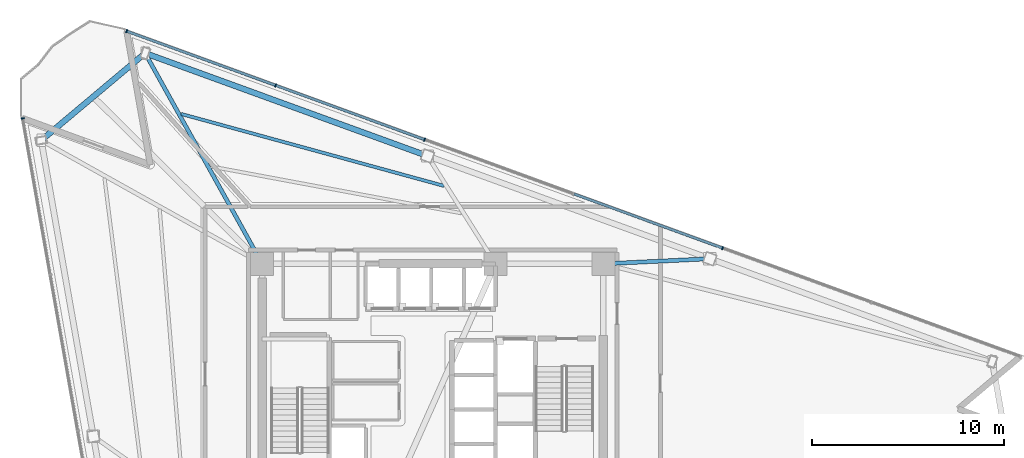
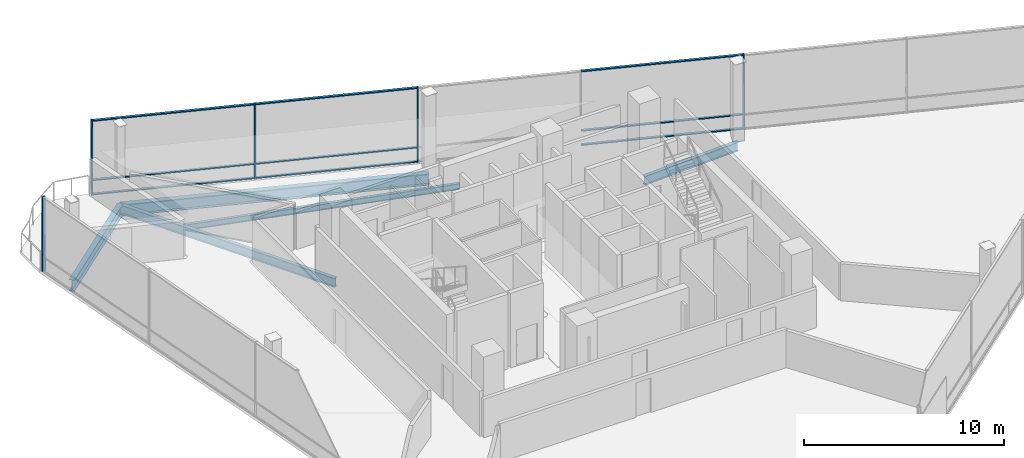
# One storey, part 7 of 15: 14 members, 5 beams, 2 elements without a shape of their own.
"""IFC4 building model written with IfcOpenShell, lengths in metres."""

from ifc_helpers import new_model, si_unit, direction, frame, origin, origin_2d, place, context, subcontext, project, spatial, rectangle, i_section, extrude, material, layer, layer_set, material_profile, profile_set, type_object, element, aggregate, save


model = new_model("IFC4")

# Units and contexts
model_context = context("Model", 3, precision=1e-05, world=origin(), true_north=direction((0.0, 1.0)))
body_context = subcontext(model_context, "Body", "Model", "MODEL_VIEW")
ifc_project = project(units=[si_unit("LENGTHUNIT", "METRE"), si_unit("AREAUNIT", "SQUARE_METRE"), si_unit("VOLUMEUNIT", "CUBIC_METRE"), si_unit("PLANEANGLEUNIT", "RADIAN"), si_unit("MASSUNIT", "GRAM", prefix="KILO")], contexts=[model_context])

# Site, building, storey
site_placement = place(None, origin())
site = spatial("IfcSite", under=ifc_project, at=site_placement, CompositionType="ELEMENT")
building_placement = place(site_placement, origin())
building = spatial("IfcBuilding", under=site, at=building_placement, Name="Tharavind Bronze Gate", CompositionType="ELEMENT")
storey_placement = place(building_placement, frame((0.0, 0.0, 192.10009765625)))
storey = spatial("IfcBuildingStorey", under=building, at=storey_placement, Name="L49", CompositionType="ELEMENT", Elevation=192.10009765625)

# Curtain wall, member
ifc_material_1 = material(Name="Anodised Bronze Aluminium", Category="aluminium")
ifc_layer = layer(ifc_material_1, 0.219970703125)
ifc_layer_set = layer_set([ifc_layer], Name="Anodised Bronze Aluminium")
curtain_wall_type = type_object("IfcCurtainWallType", Name="UNITISED CURTAIN WALL MID OFFICE", PredefinedType="USERDEFINED", material=ifc_layer_set)
curtain_wall_1_placement = place(storey_placement, origin())
curtain_wall_1 = element("IfcCurtainWall", 1, at=curtain_wall_1_placement, inside=storey, type_object=curtain_wall_type, Name="L49 unitised curtain wall mid office CW-L49-S1", ObjectType="UNITISED CURTAIN WALL", PredefinedType="USERDEFINED")
member_type_1 = type_object("IfcMemberType", Name="CURTAIN WALL BRONZE MULLION 65X180", PredefinedType="MULLION", material=ifc_material_1)
member_1_placement = place(storey_placement, frame((-21.396728515625, 15.1923828125, -0.000244140625), z_axis=(0.0, 0.0, 1.0), x_axis=(0.173648177667, -0.984807753012, 0.0)))
member_1 = element("IfcMember", 2, at=member_1_placement, type_object=member_type_1, Name="CW-L49-S1 mullion 1", PredefinedType="MULLION", context=body_context, shape_type="SweptSolid", body=[
    extrude(rectangle(XDim=0.06494140625, YDim=0.179931640625, at=origin_2d()), origin(), (0.0, 0.0, 1.0), 4.56005859375),
])
aggregate(curtain_wall_1, [member_1])

# Curtain wall, members
curtain_wall_2_placement = place(storey_placement, origin())
curtain_wall_2 = element("IfcCurtainWall", 3, at=curtain_wall_2_placement, inside=storey, type_object=curtain_wall_type, Name="L49 unitised curtain wall mid office CW-L49-S3", ObjectType="UNITISED CURTAIN WALL", PredefinedType="USERDEFINED")
member_2_placement = place(storey_placement, frame((15.12451171875, 8.424560546875, -0.000244140625), z_axis=(0.0, 0.0, 1.0), x_axis=(-0.939692023847, 0.342021783398, 0.0)))
member_2 = element("IfcMember", 4, at=member_2_placement, type_object=member_type_1, Name="CW-L49-S3 mullion 3", PredefinedType="MULLION", context=body_context, shape_type="SweptSolid", body=[
    extrude(rectangle(XDim=0.06494140625, YDim=0.179931640625, at=origin_2d()), origin(), (0.0, 0.0, 1.0), 4.56005859375),
])
member_3_placement = place(storey_placement, frame((-0.42431640625, 14.083984375, -0.000244140625), z_axis=(0.0, 0.0, 1.0), x_axis=(-0.939692023847, 0.342021783398, 0.0)))
member_3 = element("IfcMember", 5, at=member_3_placement, type_object=member_type_1, Name="CW-L49-S3 mullion 5", PredefinedType="MULLION", context=body_context, shape_type="SweptSolid", body=[
    extrude(rectangle(XDim=0.06494140625, YDim=0.179931640625, at=origin_2d()), origin(), (0.0, 0.0, 1.0), 4.56005859375),
])
member_4_placement = place(storey_placement, frame((-8.19873046875, 16.91357421875, -0.000244140625), z_axis=(0.0, 0.0, 1.0), x_axis=(-0.939692023847, 0.342021783398, 0.0)))
member_4 = element("IfcMember", 6, at=member_4_placement, type_object=member_type_1, Name="CW-L49-S3 mullion 6", PredefinedType="MULLION", context=body_context, shape_type="SweptSolid", body=[
    extrude(rectangle(XDim=0.06494140625, YDim=0.179931640625, at=origin_2d()), origin(), (0.0, 0.0, 1.0), 4.56005859375),
])
member_5_placement = place(storey_placement, frame((-15.97314453125, 19.743408203125, -0.000244140625), z_axis=(0.0, 0.0, 1.0), x_axis=(-0.939692023847, 0.342021783398, 0.0)))
member_5 = element("IfcMember", 7, at=member_5_placement, type_object=member_type_1, Name="CW-L49-S3 mullion 7", PredefinedType="MULLION", context=body_context, shape_type="SweptSolid", body=[
    extrude(rectangle(XDim=0.06494140625, YDim=0.179931640625, at=origin_2d()), origin(), (0.0, 0.0, 1.0), 4.56005859375),
])
member_type_2 = type_object("IfcMemberType", Name="CURTAIN WALL BRONZE TRANSOM 65X140", PredefinedType="USERDEFINED", material=ifc_material_1)
member_6_placement = place(storey_placement, frame((11.2373046875, 9.839599609375, 0.0), z_axis=(0.0, 0.0, 1.0), x_axis=(-0.939692023847, 0.342021783398, 0.0)))
member_6 = element("IfcMember", 8, at=member_6_placement, type_object=member_type_2, Name="CW-L49-S3 transom TB3", ObjectType="TRANSOM", PredefinedType="USERDEFINED", context=body_context, shape_type="SweptSolid", body=[
    extrude(rectangle(XDim=8.220458984375, YDim=0.139892578125, at=origin_2d()), origin(), (0.0, 0.0, 1.0), 0.06494140625),
])
member_7_placement = place(storey_placement, frame((11.2373046875, 9.839599609375, 0.867431640625), z_axis=(0.0, 0.0, 1.0), x_axis=(-0.939692023847, 0.342021783398, 0.0)))
member_7 = element("IfcMember", 9, at=member_7_placement, type_object=member_type_2, Name="CW-L49-S3 transom TS3", ObjectType="TRANSOM", PredefinedType="USERDEFINED", context=body_context, shape_type="SweptSolid", body=[
    extrude(rectangle(XDim=8.220458984375, YDim=0.139892578125, at=origin_2d()), origin(), (0.0, 0.0, 1.0), 0.06494140625),
])
member_8_placement = place(storey_placement, frame((11.2373046875, 9.839599609375, 4.494873046875), z_axis=(0.0, 0.0, 1.0), x_axis=(-0.939692023847, 0.342021783398, 0.0)))
member_8 = element("IfcMember", 10, at=member_8_placement, type_object=member_type_2, Name="CW-L49-S3 transom TT3", ObjectType="TRANSOM", PredefinedType="USERDEFINED", context=body_context, shape_type="SweptSolid", body=[
    extrude(rectangle(XDim=8.220458984375, YDim=0.139892578125, at=origin_2d()), origin(), (0.0, 0.0, 1.0), 0.06494140625),
])
member_9_placement = place(storey_placement, frame((-4.3115234375, 15.498779296875, 0.0), z_axis=(0.0, 0.0, 1.0), x_axis=(-0.939692023847, 0.342021783398, 0.0)))
member_9 = element("IfcMember", 11, at=member_9_placement, type_object=member_type_2, Name="CW-L49-S3 transom TB5", ObjectType="TRANSOM", PredefinedType="USERDEFINED", context=body_context, shape_type="SweptSolid", body=[
    extrude(rectangle(XDim=8.220458984375, YDim=0.139892578125, at=origin_2d()), origin(), (0.0, 0.0, 1.0), 0.06494140625),
])
member_10_placement = place(storey_placement, frame((-4.3115234375, 15.498779296875, 0.867431640625), z_axis=(0.0, 0.0, 1.0), x_axis=(-0.939692023847, 0.342021783398, 0.0)))
member_10 = element("IfcMember", 12, at=member_10_placement, type_object=member_type_2, Name="CW-L49-S3 transom TS5", ObjectType="TRANSOM", PredefinedType="USERDEFINED", context=body_context, shape_type="SweptSolid", body=[
    extrude(rectangle(XDim=8.220458984375, YDim=0.139892578125, at=origin_2d()), origin(), (0.0, 0.0, 1.0), 0.06494140625),
])
member_11_placement = place(storey_placement, frame((-4.3115234375, 15.498779296875, 4.494873046875), z_axis=(0.0, 0.0, 1.0), x_axis=(-0.939692023847, 0.342021783398, 0.0)))
member_11 = element("IfcMember", 13, at=member_11_placement, type_object=member_type_2, Name="CW-L49-S3 transom TT5", ObjectType="TRANSOM", PredefinedType="USERDEFINED", context=body_context, shape_type="SweptSolid", body=[
    extrude(rectangle(XDim=8.220458984375, YDim=0.139892578125, at=origin_2d()), origin(), (0.0, 0.0, 1.0), 0.06494140625),
])
member_12_placement = place(storey_placement, frame((-12.0859375, 18.32861328125, 0.0), z_axis=(0.0, 0.0, 1.0), x_axis=(-0.939692023847, 0.342021783398, 0.0)))
member_12 = element("IfcMember", 14, at=member_12_placement, type_object=member_type_2, Name="CW-L49-S3 transom TB6", ObjectType="TRANSOM", PredefinedType="USERDEFINED", context=body_context, shape_type="SweptSolid", body=[
    extrude(rectangle(XDim=8.220458984375, YDim=0.139892578125, at=origin_2d()), origin(), (0.0, 0.0, 1.0), 0.06494140625),
])
member_13_placement = place(storey_placement, frame((-12.0859375, 18.32861328125, 0.867431640625), z_axis=(0.0, 0.0, 1.0), x_axis=(-0.939692023847, 0.342021783398, 0.0)))
member_13 = element("IfcMember", 15, at=member_13_placement, type_object=member_type_2, Name="CW-L49-S3 transom TS6", ObjectType="TRANSOM", PredefinedType="USERDEFINED", context=body_context, shape_type="SweptSolid", body=[
    extrude(rectangle(XDim=8.220458984375, YDim=0.139892578125, at=origin_2d()), origin(), (0.0, 0.0, 1.0), 0.06494140625),
])
member_14_placement = place(storey_placement, frame((-12.0859375, 18.32861328125, 4.494873046875), z_axis=(0.0, 0.0, 1.0), x_axis=(-0.939692023847, 0.342021783398, 0.0)))
member_14 = element("IfcMember", 16, at=member_14_placement, type_object=member_type_2, Name="CW-L49-S3 transom TT6", ObjectType="TRANSOM", PredefinedType="USERDEFINED", context=body_context, shape_type="SweptSolid", body=[
    extrude(rectangle(XDim=8.220458984375, YDim=0.139892578125, at=origin_2d()), origin(), (0.0, 0.0, 1.0), 0.06494140625),
])
aggregate(curtain_wall_2, [member_2, member_3, member_4, member_5, member_6, member_7, member_8, member_9, member_10, member_11, member_12, member_13, member_14])

# Beams
ifc_material_2 = material(Name="Steel S355", Category="steel")
ifc_material_profile_1 = material_profile(ifc_material_2, i_section(OverallWidth=0.2099609375, OverallDepth=0.550048828125, WebThickness=0.010986328125, FlangeThickness=0.01708984375, at=origin_2d()), Name="IPE550")
ifc_profile_set_1 = profile_set([ifc_material_profile_1], Name="Steel S355")
beam_type_1 = type_object("IfcBeamType", Name="PRIMARY GIRDER IPE550", PredefinedType="USERDEFINED", material=ifc_profile_set_1)
beam_1_placement = place(storey_placement, frame((14.461181640625, 7.867919921875, -0.455078125), z_axis=(-0.998842397835, -0.048102643243, 0.0), x_axis=(0.048102643243, -0.998842397835, 0.0)))
element("IfcBeam", 17, at=beam_1_placement, inside=storey, type_object=beam_type_1, Name="L49 primary girder ipe550 BM-L49-RAD10", ObjectType="GIRDER", PredefinedType="USERDEFINED", context=body_context, shape_type="SweptSolid", body=[
    extrude(i_section(OverallWidth=0.2099609375, OverallDepth=0.550048828125, WebThickness=0.010986328125, FlangeThickness=0.01708984375, at=origin_2d()), origin(), (0.0, 0.0, 1.0), 5.567626953125),
])
beam_2_placement = place(storey_placement, frame((-15.0087890625, 18.59423828125, -0.455078125), z_axis=(0.485705558329, -0.874122480324, 0.0), x_axis=(0.874122480324, 0.485705558329, 0.0)))
element("IfcBeam", 18, at=beam_2_placement, inside=storey, type_object=beam_type_1, Name="L49 primary girder ipe550 BM-L49-RAD12", ObjectType="GIRDER", PredefinedType="USERDEFINED", context=body_context, shape_type="SweptSolid", body=[
    extrude(i_section(OverallWidth=0.2099609375, OverallDepth=0.550048828125, WebThickness=0.010986328125, FlangeThickness=0.01708984375, at=origin_2d()), origin(), (0.0, 0.0, 1.0), 12.577392578125),
])
ifc_material_profile_2 = material_profile(ifc_material_2, i_section(OverallWidth=0.300048828125, OverallDepth=0.699951171875, WebThickness=0.01708984375, FlangeThickness=0.031982421875, at=origin_2d()), Name="HE700B")
ifc_profile_set_2 = profile_set([ifc_material_profile_2], Name="Steel S355")
beam_type_2 = type_object("IfcBeamType", Name="RING GIRDER HE700B", PredefinedType="USERDEFINED", material=ifc_profile_set_2)
beam_3_placement = place(storey_placement, frame((-0.27392578125, 13.231201171875, -0.530029296875), z_axis=(-0.939692918618, 0.342019325037, 0.0), x_axis=(-0.342019325037, -0.939692918618, 0.0)))
element("IfcBeam", 19, at=beam_3_placement, inside=storey, type_object=beam_type_2, Name="L49 ring girder he700b BM-L49-PRG11", ObjectType="GIRDER", PredefinedType="USERDEFINED", context=body_context, shape_type="SweptSolid", body=[
    extrude(i_section(OverallWidth=0.300048828125, OverallDepth=0.699951171875, WebThickness=0.01708984375, FlangeThickness=0.031982421875, at=origin_2d()), origin(), (0.0, 0.0, 1.0), 15.680419921875),
])
beam_4_placement = place(storey_placement, frame((-15.0087890625, 18.59423828125, -0.530029296875), z_axis=(-0.766051869817, -0.642778758789, 0.0), x_axis=(0.642778758789, -0.766051869817, 0.0)))
element("IfcBeam", 20, at=beam_4_placement, inside=storey, type_object=beam_type_2, Name="L49 ring girder he700b BM-L49-PRG12", ObjectType="GIRDER", PredefinedType="USERDEFINED", context=body_context, shape_type="SweptSolid", body=[
    extrude(i_section(OverallWidth=0.300048828125, OverallDepth=0.699951171875, WebThickness=0.01708984375, FlangeThickness=0.031982421875, at=origin_2d()), origin(), (0.0, 0.0, 1.0), 7.080322265625),
])
ifc_material_profile_3 = material_profile(ifc_material_2, i_section(OverallWidth=0.169921875, OverallDepth=0.360107421875, WebThickness=0.008056640625, FlangeThickness=0.0126953125, at=origin_2d()), Name="IPE360")
ifc_profile_set_3 = profile_set([ifc_material_profile_3], Name="Steel S355")
beam_type_3 = type_object("IfcBeamType", Name="SECONDARY FLOOR JOIST IPE360", PredefinedType="JOIST", material=ifc_profile_set_3)
beam_5_placement = place(storey_placement, frame((0.5849609375, 11.66845703125, -0.360107421875), z_axis=(-0.964511642121, 0.264040323081, 0.0), x_axis=(-0.264040323081, -0.964511642121, 0.0)))
element("IfcBeam", 21, at=beam_5_placement, inside=storey, type_object=beam_type_3, Name="L49 secondary floor joist ipe360 BM-L49-JSTB11", PredefinedType="JOIST", context=body_context, shape_type="SweptSolid", body=[
    extrude(i_section(OverallWidth=0.169921875, OverallDepth=0.360107421875, WebThickness=0.008056640625, FlangeThickness=0.0126953125, at=origin_2d()), origin(), (0.0, 0.0, 1.0), 14.211669921875),
])

save(model, "model.ifc")
